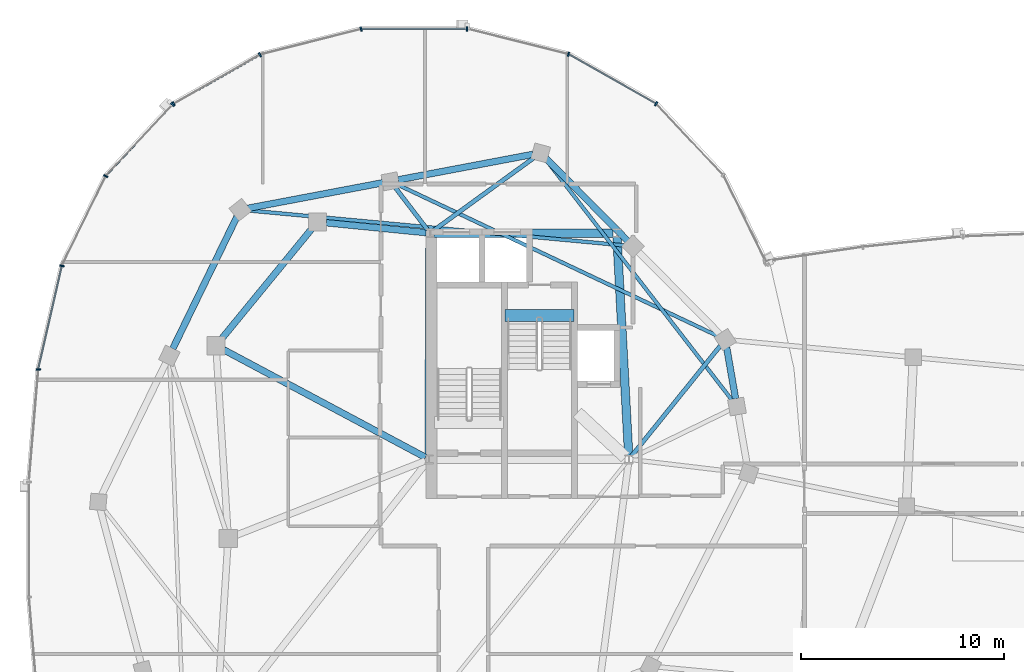
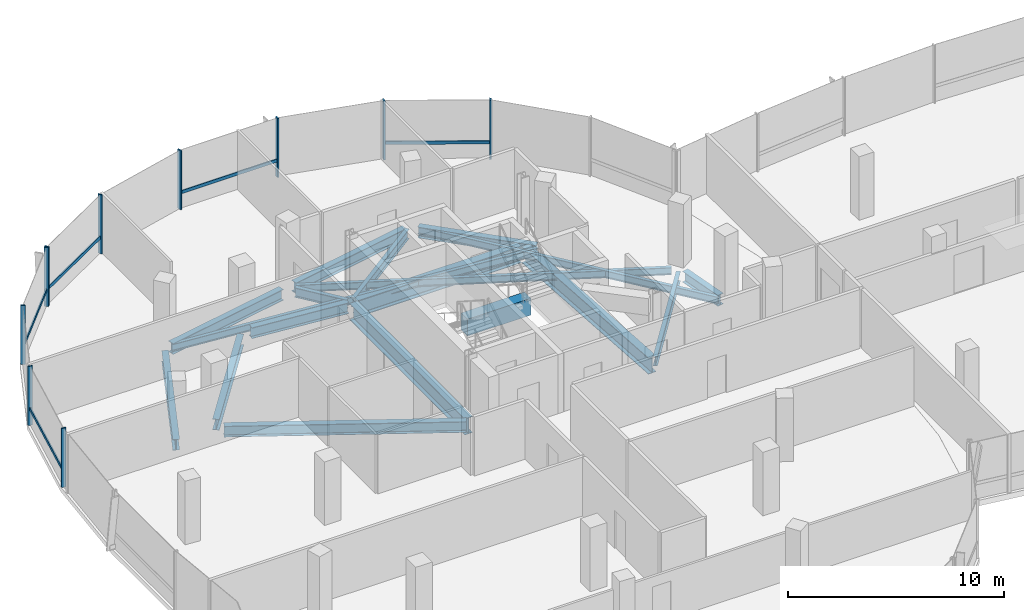
# One storey, part 6 of 26: 18 beams, 15 members, 2 elements without a shape of their own.
"""IFC4 building model written with IfcOpenShell, lengths in metres."""

from ifc_helpers import new_model, si_unit, direction, frame, origin, origin_2d, place, context, subcontext, project, spatial, rectangle, i_section, extrude, material, material_profile, profile_set, type_object, element, aggregate, save


model = new_model("IFC4")

# Units and contexts
model_context = context("Model", 3, precision=1e-05, world=origin(), true_north=direction((0.0, 1.0)))
body_context = subcontext(model_context, "Body", "Model", "MODEL_VIEW")
ifc_project = project(units=[si_unit("LENGTHUNIT", "METRE"), si_unit("AREAUNIT", "SQUARE_METRE"), si_unit("VOLUMEUNIT", "CUBIC_METRE"), si_unit("PLANEANGLEUNIT", "RADIAN"), si_unit("MASSUNIT", "GRAM", prefix="KILO"), si_unit("THERMODYNAMICTEMPERATUREUNIT", "KELVIN"), si_unit("POWERUNIT", "WATT")], contexts=[model_context])

# Site, building, storey
site_placement = place(None, origin())
site = spatial("IfcSite", under=ifc_project, at=site_placement, CompositionType="ELEMENT")
building_placement = place(site_placement, origin())
building = spatial("IfcBuilding", under=site, at=building_placement, Name="Cundina Bronze Exchange", CompositionType="ELEMENT")
storey_placement = place(building_placement, frame((0.0, 0.0, 264.800048828125)))
storey = spatial("IfcBuildingStorey", under=building, at=storey_placement, Name="L70", CompositionType="ELEMENT", Elevation=264.800048828125)

# Beams
ifc_material_1 = material(Name="Concrete C60/75", Category="concrete")
ifc_material_profile_1 = material_profile(ifc_material_1, rectangle(XDim=0.60009765625, YDim=0.949951171875, at=origin_2d()), Name="RC600X950", Category="concrete")
ifc_profile_set_1 = profile_set([ifc_material_profile_1], Name="Concrete C60/75")
beam_type_1 = type_object("IfcBeamType", Name="BM-COUP-RC950", PredefinedType="LINTEL", material=ifc_profile_set_1)
beam_1_placement = place(storey_placement, frame((-27.56005859375, 10.97998046875, -0.47509765625), z_axis=(1.0, 0.0, 0.0), x_axis=(0.0, 1.0, 0.0)))
element("IfcBeam", 1, at=beam_1_placement, inside=storey, type_object=beam_type_1, Name="L70 Stair W2 Landing Header Beam", PredefinedType="LINTEL", context=body_context, shape_type="SweptSolid", body=[
    extrude(rectangle(XDim=0.60009765625, YDim=0.949951171875, at=origin_2d()), origin(), (0.0, 0.0, 1.0), 3.400146484375),
])
ifc_material_2 = material(Name="Steel ASTM A992 Grade 50", Category="steel")
ifc_material_profile_2 = material_profile(ifc_material_2, i_section(OverallWidth=0.2119140625, OverallDepth=0.5439453125, WebThickness=0.01318359375, FlangeThickness=0.021240234375, FilletRadius=0.013916015625, at=origin_2d()), Name="W21X83", Category="steel")
ifc_profile_set_2 = profile_set([ifc_material_profile_2], Name="Steel ASTM A992 Grade 50")
beam_type_2 = type_object("IfcBeamType", Name="BM-FLR-W21A", PredefinedType="BEAM", material=ifc_profile_set_2)
beam_2_placement = place(storey_placement, frame((-21.3271484375, 4.052734375, -0.531982421875), z_axis=(0.627111236784, 0.778929712297, 0.0), x_axis=(-0.778929712297, 0.627111236784, 0.0)))
element("IfcBeam", 2, at=beam_2_placement, inside=storey, type_object=beam_type_2, Name="L70 Leg W Radial Floor Beam 02", PredefinedType="BEAM", context=body_context, shape_type="SweptSolid", body=[
    extrude(i_section(OverallWidth=0.2119140625, OverallDepth=0.5439453125, WebThickness=0.01318359375, FlangeThickness=0.021240234375, FilletRadius=0.013916015625, at=origin_2d()), origin(), (0.0, 0.0, 1.0), 6.990478515625),
])
beam_3_placement = place(storey_placement, frame((-31.09130859375, 15.1650390625, -0.531982421875), z_axis=(0.809701976545, 0.586841298119, 0.0), x_axis=(-0.586841298119, 0.809701976545, 0.0)))
element("IfcBeam", 3, at=beam_3_placement, inside=storey, type_object=beam_type_2, Name="L70 Leg W Radial Floor Beam 04", PredefinedType="BEAM", context=body_context, shape_type="SweptSolid", body=[
    extrude(i_section(OverallWidth=0.2119140625, OverallDepth=0.5439453125, WebThickness=0.01318359375, FlangeThickness=0.021240234375, FilletRadius=0.013916015625, at=origin_2d()), origin(), (0.0, 0.0, 1.0), 6.146728515625),
])
beam_4_placement = place(storey_placement, frame((-31.369140625, 15.205810546875, -0.531982421875), z_axis=(-0.607470812638, 0.794341999263, 0.0), x_axis=(-0.794341999263, -0.607470812638, 0.0)))
element("IfcBeam", 4, at=beam_4_placement, inside=storey, type_object=beam_type_2, Name="L70 Leg W Radial Floor Beam 05", PredefinedType="BEAM", context=body_context, shape_type="SweptSolid", body=[
    extrude(i_section(OverallWidth=0.2119140625, OverallDepth=0.5439453125, WebThickness=0.01318359375, FlangeThickness=0.021240234375, FilletRadius=0.013916015625, at=origin_2d()), origin(), (0.0, 0.0, 1.0), 2.6259765625),
])
ifc_material_profile_3 = material_profile(ifc_material_2, i_section(OverallWidth=0.178955078125, OverallDepth=0.409912109375, WebThickness=0.0087890625, FlangeThickness=0.014404296875, FilletRadius=0.010986328125, at=origin_2d()), Name="W16X45", Category="steel")
ifc_profile_set_3 = profile_set([ifc_material_profile_3], Name="Steel ASTM A992 Grade 50")
beam_type_3 = type_object("IfcBeamType", Name="BM-JST-W16", PredefinedType="JOIST", material=ifc_profile_set_3)
beam_5_placement = place(storey_placement, frame((-16.362548828125, 6.806884765625, -0.465087890625), z_axis=(-0.612077855816, 0.790797507849, 0.0), x_axis=(-0.790797507849, -0.612077855816, 0.0)))
element("IfcBeam", 5, at=beam_5_placement, inside=storey, type_object=beam_type_3, Name="L70 Leg W Lobe Floor Joist 01-04", PredefinedType="JOIST", context=body_context, shape_type="SweptSolid", body=[
    extrude(i_section(OverallWidth=0.178955078125, OverallDepth=0.409912109375, WebThickness=0.0087890625, FlangeThickness=0.014404296875, FilletRadius=0.010986328125, at=origin_2d()), origin(), (0.0, 0.0, 1.0), 15.03076171875),
])
beam_6_placement = place(storey_placement, frame((-17.05078125, 9.9658203125, -0.465087890625), z_axis=(-0.904073247994, 0.427377540661, 0.0), x_axis=(-0.427377540661, -0.904073247994, 0.0)))
element("IfcBeam", 6, at=beam_6_placement, inside=storey, type_object=beam_type_3, Name="L70 Leg W Lobe Floor Joist 02-05", PredefinedType="JOIST", context=body_context, shape_type="SweptSolid", body=[
    extrude(i_section(OverallWidth=0.178955078125, OverallDepth=0.409912109375, WebThickness=0.0087890625, FlangeThickness=0.014404296875, FilletRadius=0.010986328125, at=origin_2d()), origin(), (0.0, 0.0, 1.0), 17.474609375),
])
beam_7_placement = place(storey_placement, frame((-21.63623046875, 14.435791015625, -0.465087890625), z_axis=(-0.995700514338, 0.092630911398, 0.0), x_axis=(-0.092630911398, -0.995700514338, 0.0)))
element("IfcBeam", 7, at=beam_7_placement, inside=storey, type_object=beam_type_3, Name="L70 Leg W Lobe Floor Joist 03-06", PredefinedType="JOIST", context=body_context, shape_type="SweptSolid", body=[
    extrude(i_section(OverallWidth=0.178955078125, OverallDepth=0.409912109375, WebThickness=0.0087890625, FlangeThickness=0.014404296875, FilletRadius=0.010986328125, at=origin_2d()), origin(), (0.0, 0.0, 1.0), 18.65771484375),
])
ifc_material_profile_4 = material_profile(ifc_material_2, i_section(OverallWidth=0.324951171875, OverallDepth=0.615966796875, WebThickness=0.013916015625, FlangeThickness=0.021484375, FilletRadius=0.01611328125, at=origin_2d()), Name="W24X117", Category="steel")
ifc_profile_set_4 = profile_set([ifc_material_profile_4], Name="Steel ASTM A992 Grade 50")
beam_type_4 = type_object("IfcBeamType", Name="BM-RING-W24", PredefinedType="USERDEFINED", material=ifc_profile_set_4)
beam_8_placement = place(storey_placement, frame((-31.445068359375, 15.0693359375, -0.568115234375), z_axis=(-0.995123854478, 0.09863323096, 0.0), x_axis=(-0.09863323096, -0.995123854478, 0.0)))
element("IfcBeam", 8, at=beam_8_placement, inside=storey, type_object=beam_type_4, Name="L70 W Inner Structural Ring Girder 01", ObjectType="GIRDER", PredefinedType="USERDEFINED", context=body_context, shape_type="SweptSolid", body=[
    extrude(i_section(OverallWidth=0.324951171875, OverallDepth=0.615966796875, WebThickness=0.013916015625, FlangeThickness=0.021484375, FilletRadius=0.01611328125, at=origin_2d()), origin(), (0.0, 0.0, 1.0), 4.943115234375),
])
beam_9_placement = place(storey_placement, frame((-37.07763671875, 15.26123046875, -0.568115234375), z_axis=(-0.633912590175, -0.77340469873, 0.0), x_axis=(0.77340469873, -0.633912590175, 0.0)))
element("IfcBeam", 9, at=beam_9_placement, inside=storey, type_object=beam_type_4, Name="L70 W Inner Structural Ring Girder 02", ObjectType="GIRDER", PredefinedType="USERDEFINED", context=body_context, shape_type="SweptSolid", body=[
    extrude(i_section(OverallWidth=0.324951171875, OverallDepth=0.615966796875, WebThickness=0.013916015625, FlangeThickness=0.021484375, FilletRadius=0.01611328125, at=origin_2d()), origin(), (0.0, 0.0, 1.0), 7.01123046875),
])
beam_10_placement = place(storey_placement, frame((-31.472900390625, 3.9921875, -0.568115234375), z_axis=(-0.882350541683, 0.470592734317, 0.0), x_axis=(-0.470592734317, -0.882350541683, 0.0)))
element("IfcBeam", 10, at=beam_10_placement, inside=storey, type_object=beam_type_4, Name="L70 W Core-to-Waist Tie Beam 2", ObjectType="GIRDER", PredefinedType="USERDEFINED", context=body_context, shape_type="SweptSolid", body=[
    extrude(i_section(OverallWidth=0.324951171875, OverallDepth=0.615966796875, WebThickness=0.013916015625, FlangeThickness=0.021484375, FilletRadius=0.01611328125, at=origin_2d()), origin(), (0.0, 0.0, 1.0), 11.26611328125),
])
beam_11_placement = place(storey_placement, frame((-16.191650390625, 6.882080078125, -0.568115234375), z_axis=(-0.171593362587, 0.985167862811, 0.0), x_axis=(-0.985167862811, -0.171593362587, 0.0)))
element("IfcBeam", 11, at=beam_11_placement, inside=storey, type_object=beam_type_4, Name="L70 W Perimeter Ring Girder 01", ObjectType="GIRDER", PredefinedType="USERDEFINED", context=body_context, shape_type="SweptSolid", body=[
    extrude(i_section(OverallWidth=0.324951171875, OverallDepth=0.615966796875, WebThickness=0.013916015625, FlangeThickness=0.021484375, FilletRadius=0.01611328125, at=origin_2d()), origin(), (0.0, 0.0, 1.0), 2.57373046875),
])
beam_12_placement = place(storey_placement, frame((-21.52294921875, 14.67578125, -0.568115234375), z_axis=(-0.703215820204, 0.710976448425, 0.0), x_axis=(-0.710976448425, -0.703215820204, 0.0)))
element("IfcBeam", 12, at=beam_12_placement, inside=storey, type_object=beam_type_4, Name="L70 W Perimeter Ring Girder 03", ObjectType="GIRDER", PredefinedType="USERDEFINED", context=body_context, shape_type="SweptSolid", body=[
    extrude(i_section(OverallWidth=0.324951171875, OverallDepth=0.615966796875, WebThickness=0.013916015625, FlangeThickness=0.021484375, FilletRadius=0.01611328125, at=origin_2d()), origin(), (0.0, 0.0, 1.0), 5.694091796875),
])
beam_13_placement = place(storey_placement, frame((-26.18115234375, 18.927978515625, -0.568115234375), z_axis=(-0.982568104771, -0.185902984072, 0.0), x_axis=(0.185902984072, -0.982568104771, 0.0)))
element("IfcBeam", 13, at=beam_13_placement, inside=storey, type_object=beam_type_4, Name="L70 W Perimeter Ring Girder 04", ObjectType="GIRDER", PredefinedType="USERDEFINED", context=body_context, shape_type="SweptSolid", body=[
    extrude(i_section(OverallWidth=0.324951171875, OverallDepth=0.615966796875, WebThickness=0.013916015625, FlangeThickness=0.021484375, FilletRadius=0.01611328125, at=origin_2d()), origin(), (0.0, 0.0, 1.0), 6.75537109375),
])
beam_14_placement = place(storey_placement, frame((-33.581298828125, 17.52783203125, -0.568115234375), z_axis=(-0.982573456977, -0.185874693392, 0.0), x_axis=(0.185874693392, -0.982573456977, 0.0)))
element("IfcBeam", 14, at=beam_14_placement, inside=storey, type_object=beam_type_4, Name="L70 W Perimeter Ring Girder 05", ObjectType="GIRDER", PredefinedType="USERDEFINED", context=body_context, shape_type="SweptSolid", body=[
    extrude(i_section(OverallWidth=0.324951171875, OverallDepth=0.615966796875, WebThickness=0.013916015625, FlangeThickness=0.021484375, FilletRadius=0.01611328125, at=origin_2d()), origin(), (0.0, 0.0, 1.0), 6.755126953125),
])
beam_15_placement = place(storey_placement, frame((-40.76953125, 15.85107421875, -0.568115234375), z_axis=(-0.437216986791, -0.899356050995, 0.0), x_axis=(0.899356050995, -0.437216986791, 0.0)))
element("IfcBeam", 15, at=beam_15_placement, inside=storey, type_object=beam_type_4, Name="L70 W Perimeter Ring Girder 06", ObjectType="GIRDER", PredefinedType="USERDEFINED", context=body_context, shape_type="SweptSolid", body=[
    extrude(i_section(OverallWidth=0.324951171875, OverallDepth=0.615966796875, WebThickness=0.013916015625, FlangeThickness=0.021484375, FilletRadius=0.01611328125, at=origin_2d()), origin(), (0.0, 0.0, 1.0), 7.2294921875),
])
ifc_material_profile_5 = material_profile(ifc_material_2, i_section(OverallWidth=0.41796875, OverallDepth=0.927001953125, WebThickness=0.019287109375, FlangeThickness=0.031982421875, FilletRadius=0.02392578125, at=origin_2d()), Name="W36X231", Category="steel")
ifc_profile_set_5 = profile_set([ifc_material_profile_5], Name="Steel ASTM A992 Grade 50")
beam_type_5 = type_object("IfcBeamType", Name="BM-WRN-W36B", PredefinedType="USERDEFINED", material=ifc_profile_set_5)
beam_16_placement = place(storey_placement, frame((-21.46044921875, 4.095703125, -0.7236328125), z_axis=(-0.053749317644, 0.998554460634, 0.0), x_axis=(-0.998554460634, -0.053749317644, 0.0)))
element("IfcBeam", 16, at=beam_16_placement, inside=storey, type_object=beam_type_5, Name="L70 W Core Perimeter Tie Girder 2", ObjectType="GIRDER", PredefinedType="USERDEFINED", context=body_context, shape_type="SweptSolid", body=[
    extrude(i_section(OverallWidth=0.41796875, OverallDepth=0.927001953125, WebThickness=0.019287109375, FlangeThickness=0.031982421875, FilletRadius=0.02392578125, at=origin_2d()), origin(), (0.0, 0.0, 1.0), 10.774169921875),
])
beam_17_placement = place(storey_placement, frame((-22.24609375, 15.050048828125, -0.7236328125), z_axis=(-1.0, 0.0, 0.0), x_axis=(0.0, -1.0, 0.0)))
element("IfcBeam", 17, at=beam_17_placement, inside=storey, type_object=beam_type_5, Name="L70 W Core Perimeter Tie Girder 3", ObjectType="GIRDER", PredefinedType="USERDEFINED", context=body_context, shape_type="SweptSolid", body=[
    extrude(i_section(OverallWidth=0.41796875, OverallDepth=0.927001953125, WebThickness=0.019287109375, FlangeThickness=0.031982421875, FilletRadius=0.02392578125, at=origin_2d()), origin(), (0.0, 0.0, 1.0), 8.807861328125),
])
beam_18_placement = place(storey_placement, frame((-31.2509765625, 14.85400390625, -0.7236328125), z_axis=(-0.004470623654, -0.999990006712, 0.0), x_axis=(0.999990006712, -0.004470623654, 0.0)))
element("IfcBeam", 18, at=beam_18_placement, inside=storey, type_object=beam_type_5, Name="L70 W Core Perimeter Tie Girder 4", ObjectType="GIRDER", PredefinedType="USERDEFINED", context=body_context, shape_type="SweptSolid", body=[
    extrude(i_section(OverallWidth=0.41796875, OverallDepth=0.927001953125, WebThickness=0.019287109375, FlangeThickness=0.031982421875, FilletRadius=0.02392578125, at=origin_2d()), origin(), (0.0, 0.0, 1.0), 10.758056640625),
])

# Curtain wall, members
ifc_material_3 = material(Name="Anodised Bronze Aluminium 6063-T6", Category="aluminium")
curtain_wall_type = type_object("IfcCurtainWallType", Name="CWS-SKG-BRG", PredefinedType="NOTDEFINED", material=ifc_material_3)
curtain_wall_1_placement = place(storey_placement, origin())
curtain_wall_1 = element("IfcCurtainWall", 19, at=curtain_wall_1_placement, inside=storey, type_object=curtain_wall_type, Name="L70 CW-06 Curtain Wall Run CWR-L70-W1", PredefinedType="NOTDEFINED")
ifc_material_profile_6 = material_profile(ifc_material_3, rectangle(XDim=0.074951171875, YDim=0.219970703125, at=origin_2d()), Name="AL75X220", Category="aluminium")
ifc_profile_set_6 = profile_set([ifc_material_profile_6], Name="Anodised Bronze Aluminium 6063-T6")
member_type_1 = type_object("IfcMemberType", Name="CWM-MUL-220", PredefinedType="MULLION", material=ifc_profile_set_6)
member_1_placement = place(storey_placement, frame((-20.11083984375, 21.419921875, 0.0), z_axis=(0.0, 0.0, 1.0), x_axis=(-0.86958112538, 0.493790103568, 0.0)))
member_1 = element("IfcMember", 20, at=member_1_placement, type_object=member_type_1, Name="CW-06 Mullion 3", PredefinedType="MULLION", context=body_context, shape_type="SweptSolid", body=[
    extrude(rectangle(XDim=0.074951171875, YDim=0.219970703125, at=origin_2d()), origin(), (0.0, 0.0, 1.0), 3.33984375),
])
member_2_placement = place(storey_placement, frame((-24.4296875, 23.86181640625, 0.0), z_axis=(0.0, 0.0, 1.0), x_axis=(-0.969744325821, 0.244122802168, 0.0)))
member_2 = element("IfcMember", 21, at=member_2_placement, type_object=member_type_1, Name="CW-06 Mullion 4", PredefinedType="MULLION", context=body_context, shape_type="SweptSolid", body=[
    extrude(rectangle(XDim=0.074951171875, YDim=0.219970703125, at=origin_2d()), origin(), (0.0, 0.0, 1.0), 3.33984375),
])
member_3_placement = place(storey_placement, frame((-29.423583984375, 25.110107421875, 0.0), z_axis=(0.0, 0.0, 1.0), x_axis=(-1.0, 0.0, 0.0)))
member_3 = element("IfcMember", 22, at=member_3_placement, type_object=member_type_1, Name="CW-06 Mullion 5", PredefinedType="MULLION", context=body_context, shape_type="SweptSolid", body=[
    extrude(rectangle(XDim=0.074951171875, YDim=0.219970703125, at=origin_2d()), origin(), (0.0, 0.0, 1.0), 3.33984375),
])
member_4_placement = place(storey_placement, frame((-34.648193359375, 25.10107421875, 0.0), z_axis=(0.0, 0.0, 1.0), x_axis=(-0.969744325821, -0.244122802168, 0.0)))
member_4 = element("IfcMember", 23, at=member_4_placement, type_object=member_type_1, Name="CW-06 Mullion 6", PredefinedType="MULLION", context=body_context, shape_type="SweptSolid", body=[
    extrude(rectangle(XDim=0.074951171875, YDim=0.219970703125, at=origin_2d()), origin(), (0.0, 0.0, 1.0), 3.33984375),
])
member_5_placement = place(storey_placement, frame((-39.634521484375, 23.8359375, 0.0), z_axis=(0.0, 0.0, 1.0), x_axis=(-0.86958112538, -0.493790103568, 0.0)))
member_5 = element("IfcMember", 24, at=member_5_placement, type_object=member_type_1, Name="CW-06 Mullion 7", PredefinedType="MULLION", context=body_context, shape_type="SweptSolid", body=[
    extrude(rectangle(XDim=0.074951171875, YDim=0.219970703125, at=origin_2d()), origin(), (0.0, 0.0, 1.0), 3.33984375),
])
member_6_placement = place(storey_placement, frame((-43.88916015625, 21.419921875, 0.0), z_axis=(0.0, 0.0, 1.0), x_axis=(-0.86958112538, -0.493790103568, 0.0)))
member_6 = element("IfcMember", 25, at=member_6_placement, type_object=member_type_1, Name="CW-06 End Mullion", PredefinedType="MULLION", context=body_context, shape_type="SweptSolid", body=[
    extrude(rectangle(XDim=0.074951171875, YDim=0.219970703125, at=origin_2d()), origin(), (0.0, 0.0, 1.0), 3.33984375),
])

curtain_wall_2_placement = place(storey_placement, origin())
curtain_wall_2 = element("IfcCurtainWall", 26, at=curtain_wall_2_placement, inside=storey, type_object=curtain_wall_type, Name="L70 CW-06 Curtain Wall Run CWR-L70-W2", PredefinedType="NOTDEFINED")
member_7_placement = place(storey_placement, frame((-43.940185546875, 21.3798828125, 0.0), z_axis=(0.0, 0.0, 1.0), x_axis=(-0.684292606175, -0.729207535023, 0.0)))
member_7 = element("IfcMember", 27, at=member_7_placement, type_object=member_type_1, Name="CW-06 Mullion 1", PredefinedType="MULLION", context=body_context, shape_type="SweptSolid", body=[
    extrude(rectangle(XDim=0.074951171875, YDim=0.219970703125, at=origin_2d()), origin(), (0.0, 0.0, 1.0), 3.33984375),
])
member_8_placement = place(storey_placement, frame((-47.2333984375, 17.856689453125, 0.0), z_axis=(0.0, 0.0, 1.0), x_axis=(-0.440566004113, -0.897720221461, 0.0)))
member_8 = element("IfcMember", 28, at=member_8_placement, type_object=member_type_1, Name="CW-06 Mullion 2", PredefinedType="MULLION", context=body_context, shape_type="SweptSolid", body=[
    extrude(rectangle(XDim=0.074951171875, YDim=0.219970703125, at=origin_2d()), origin(), (0.0, 0.0, 1.0), 3.33984375),
])
member_9_placement = place(storey_placement, frame((-49.39404296875, 13.433837890625, 0.0), z_axis=(0.0, 0.0, 1.0), x_axis=(-0.223250116011, -0.974761194191, 0.0)))
member_9 = element("IfcMember", 29, at=member_9_placement, type_object=member_type_1, Name="CW-06 Mullion 3", PredefinedType="MULLION", context=body_context, shape_type="SweptSolid", body=[
    extrude(rectangle(XDim=0.074951171875, YDim=0.219970703125, at=origin_2d()), origin(), (0.0, 0.0, 1.0), 3.33984375),
])
member_10_placement = place(storey_placement, frame((-50.557861328125, 8.32568359375, 0.0), z_axis=(0.0, 0.0, 1.0), x_axis=(-0.083677843332, -0.99649285925, 0.0)))
member_10 = element("IfcMember", 30, at=member_10_placement, type_object=member_type_1, Name="CW-06 Mullion 4", PredefinedType="MULLION", context=body_context, shape_type="SweptSolid", body=[
    extrude(rectangle(XDim=0.074951171875, YDim=0.219970703125, at=origin_2d()), origin(), (0.0, 0.0, 1.0), 3.33984375),
])

# Member
ifc_material_profile_7 = material_profile(ifc_material_3, rectangle(XDim=0.070068359375, YDim=0.179931640625, at=origin_2d()), Name="AL70X180", Category="aluminium")
ifc_profile_set_7 = profile_set([ifc_material_profile_7], Name="Anodised Bronze Aluminium 6063-T6")
member_type_2 = type_object("IfcMemberType", Name="CWM-TRN-180", PredefinedType="USERDEFINED", material=ifc_profile_set_7)
member_11_placement = place(storey_placement, frame((-20.146728515625, 21.440185546875, 0.919921875), z_axis=(-0.869557366176, 0.493831941989, 0.0), x_axis=(-0.493831941989, -0.869557366176, 0.0)))
member_11 = element("IfcMember", 31, at=member_11_placement, type_object=member_type_2, Name="CW-06 Spandrel Transom 3", ObjectType="TRANSOM", PredefinedType="USERDEFINED", context=body_context, shape_type="SweptSolid", body=[
    extrude(rectangle(XDim=0.070068359375, YDim=0.179931640625, at=origin_2d()), origin(), (0.0, 0.0, 1.0), 4.892822265625),
])

member_12_placement = place(storey_placement, frame((-29.464599609375, 25.110107421875, 0.919921875), z_axis=(-1.0, 0.0, 0.0), x_axis=(0.0, -1.0, 0.0)))
member_12 = element("IfcMember", 32, at=member_12_placement, type_object=member_type_2, Name="CW-06 Spandrel Transom 5", ObjectType="TRANSOM", PredefinedType="USERDEFINED", context=body_context, shape_type="SweptSolid", body=[
    extrude(rectangle(XDim=0.070068359375, YDim=0.179931640625, at=origin_2d()), origin(), (0.0, 0.0, 1.0), 5.1533203125),
])

member_13_placement = place(storey_placement, frame((-39.67041015625, 23.815673828125, 0.919921875), z_axis=(-0.869558105282, -0.493830640542, 0.0), x_axis=(0.493830640542, -0.869558105282, 0.0)))
member_13 = element("IfcMember", 33, at=member_13_placement, type_object=member_type_2, Name="CW-06 Spandrel Transom 7", ObjectType="TRANSOM", PredefinedType="USERDEFINED", context=body_context, shape_type="SweptSolid", body=[
    extrude(rectangle(XDim=0.070068359375, YDim=0.179931640625, at=origin_2d()), origin(), (0.0, 0.0, 1.0), 4.810302734375),
])

aggregate(curtain_wall_1, [member_1, member_11, member_2, member_3, member_12, member_4, member_5, member_6, member_13])

member_14_placement = place(storey_placement, frame((-43.968505859375, 21.349609375, 0.919921875), z_axis=(-0.684328474899, -0.729173873944, 0.0), x_axis=(0.729173873944, -0.684328474899, 0.0)))
member_14 = element("IfcMember", 34, at=member_14_placement, type_object=member_type_2, Name="CW-06 Spandrel Transom 1", ObjectType="TRANSOM", PredefinedType="USERDEFINED", context=body_context, shape_type="SweptSolid", body=[
    extrude(rectangle(XDim=0.070068359375, YDim=0.179931640625, at=origin_2d()), origin(), (0.0, 0.0, 1.0), 4.758056640625),
])

member_15_placement = place(storey_placement, frame((-49.4033203125, 13.3935546875, 0.919921875), z_axis=(-0.223257048806, -0.974759606343, 0.0), x_axis=(0.974759606343, -0.223257048806, 0.0)))
member_15 = element("IfcMember", 35, at=member_15_placement, type_object=member_type_2, Name="CW-06 Spandrel Transom 3", ObjectType="TRANSOM", PredefinedType="USERDEFINED", context=body_context, shape_type="SweptSolid", body=[
    extrude(rectangle(XDim=0.070068359375, YDim=0.179931640625, at=origin_2d()), origin(), (0.0, 0.0, 1.0), 5.15283203125),
])

aggregate(curtain_wall_2, [member_7, member_14, member_8, member_9, member_15, member_10])

save(model, "model.ifc")
